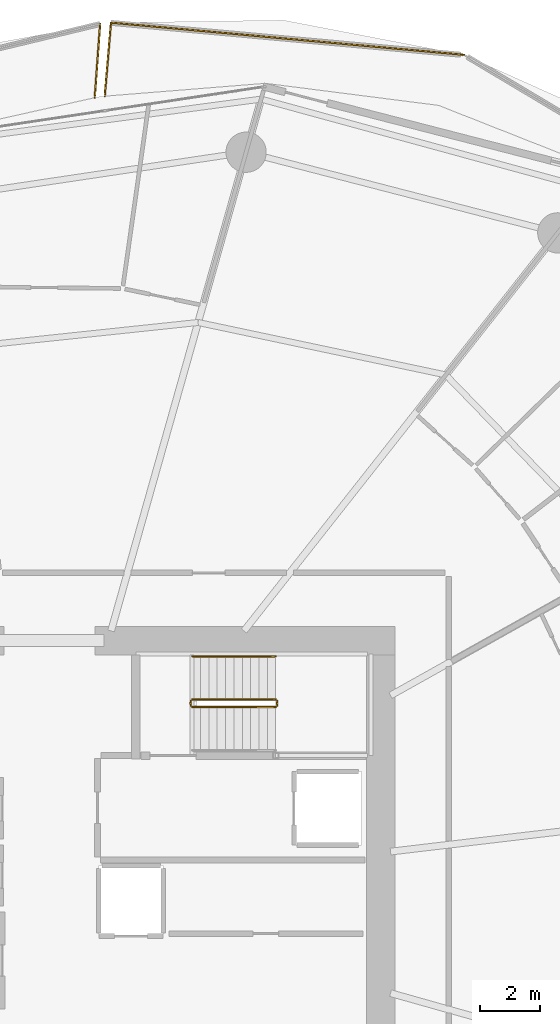
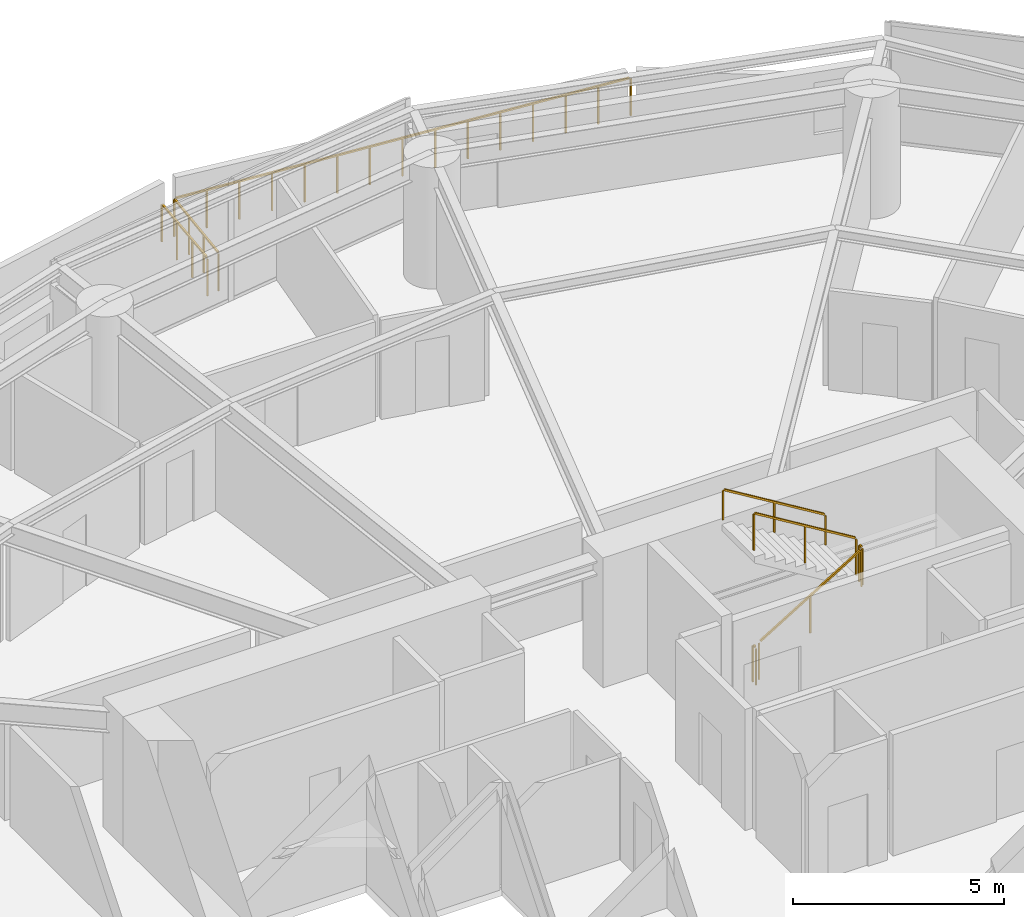
# One storey, part 30 of 31: 8 railings.
"""IFC4 building model written with IfcOpenShell, lengths in metres."""

from ifc_helpers import new_model, si_unit, direction, frame, origin, origin_2d, place, context, subcontext, project, spatial, rectangle, extrude, material, type_object, element, save


model = new_model("IFC4")

# Units and contexts
model_context = context("Model", 3, precision=1e-05, world=origin(), true_north=direction((0.0, 1.0)))
body_context = subcontext(model_context, "Body", "Model", "MODEL_VIEW")
ifc_project = project(units=[si_unit("LENGTHUNIT", "METRE"), si_unit("AREAUNIT", "SQUARE_METRE"), si_unit("VOLUMEUNIT", "CUBIC_METRE"), si_unit("PLANEANGLEUNIT", "RADIAN"), si_unit("MASSUNIT", "GRAM", prefix="KILO")], contexts=[model_context])

# Site, building, storey
site_placement = place(None, origin())
site = spatial("IfcSite", under=ifc_project, at=site_placement, CompositionType="ELEMENT")
building_placement = place(site_placement, origin())
building = spatial("IfcBuilding", under=site, at=building_placement, Name="Kazma Halo Residences", CompositionType="ELEMENT")
storey_placement = place(building_placement, frame((0.0, 0.0, 60.14990234375)))
storey = spatial("IfcBuildingStorey", under=building, at=storey_placement, Name="L14", CompositionType="ELEMENT", Elevation=60.14990234375)

# Railings
ifc_material_1 = material(Name="Aluminium AW-6063 T6 Brushed Cap Rail", Category="aluminium")
railing_type_1 = type_object("IfcRailingType", Name="RLG-BAL-CAP-1120", PredefinedType="BALUSTRADE", material=ifc_material_1)
railing_1_placement = place(storey_placement, frame((62.323974609375, 70.1123046875, 0.0)))
element("IfcRailing", 1, at=railing_1_placement, inside=storey, type_object=railing_type_1, Name="L14 NE wave balcony guard 3", PredefinedType="BALUSTRADE", context=body_context, shape_type="SweptSolid", body=[
    extrude(rectangle(XDim=0.050048828125, YDim=0.050048828125, at=origin_2d()), frame((-0.04248046875, 0.00390625, 1.09521484375), z_axis=(-0.995869790697, 0.09079295114, 0.0), x_axis=(-0.09079295114, -0.995869790697, 0.0)), (0.0, 0.0, 1.0), 11.81103515625),
    extrude(rectangle(XDim=0.0400390625, YDim=0.0400390625, at=origin_2d()), origin(), (0.0, 0.0, 1.0), 1.05810546875),
    extrude(rectangle(XDim=0.0400390625, YDim=0.0400390625, at=origin_2d()), frame((-0.84619140625, 0.0771484375, 0.0)), (0.0, 0.0, 1.0), 1.05810546875),
    extrude(rectangle(XDim=0.0400390625, YDim=0.0400390625, at=origin_2d()), frame((-1.6923828125, 0.154296875, 0.0)), (0.0, 0.0, 1.0), 1.05810546875),
    extrude(rectangle(XDim=0.0400390625, YDim=0.0400390625, at=origin_2d()), frame((-2.53857421875, 0.2314453125, 0.0)), (0.0, 0.0, 1.0), 1.05810546875),
    extrude(rectangle(XDim=0.0400390625, YDim=0.0400390625, at=origin_2d()), frame((-3.384765625, 0.30859375, 0.0)), (0.0, 0.0, 1.0), 1.05810546875),
    extrude(rectangle(XDim=0.0400390625, YDim=0.0400390625, at=origin_2d()), frame((-4.23095703125, 0.3857421875, 0.0)), (0.0, 0.0, 1.0), 1.05810546875),
    extrude(rectangle(XDim=0.0400390625, YDim=0.0400390625, at=origin_2d()), frame((-5.0771484375, 0.462890625, 0.0)), (0.0, 0.0, 1.0), 1.05810546875),
    extrude(rectangle(XDim=0.0400390625, YDim=0.0400390625, at=origin_2d()), frame((-5.92333984375, 0.5400390625, 0.0)), (0.0, 0.0, 1.0), 1.05810546875),
    extrude(rectangle(XDim=0.0400390625, YDim=0.0400390625, at=origin_2d()), frame((-6.769775390625, 0.6171875, 0.0)), (0.0, 0.0, 1.0), 1.05810546875),
    extrude(rectangle(XDim=0.0400390625, YDim=0.0400390625, at=origin_2d()), frame((-7.615966796875, 0.6943359375, 0.0)), (0.0, 0.0, 1.0), 1.05810546875),
    extrude(rectangle(XDim=0.0400390625, YDim=0.0400390625, at=origin_2d()), frame((-8.462158203125, 0.771484375, 0.0)), (0.0, 0.0, 1.0), 1.05810546875),
    extrude(rectangle(XDim=0.0400390625, YDim=0.0400390625, at=origin_2d()), frame((-9.308349609375, 0.8486328125, 0.0)), (0.0, 0.0, 1.0), 1.05810546875),
    extrude(rectangle(XDim=0.0400390625, YDim=0.0400390625, at=origin_2d()), frame((-10.154541015625, 0.92578125, 0.0)), (0.0, 0.0, 1.0), 1.05810546875),
    extrude(rectangle(XDim=0.0400390625, YDim=0.0400390625, at=origin_2d()), frame((-11.000732421875, 1.0029296875, 0.0)), (0.0, 0.0, 1.0), 1.05810546875),
    extrude(rectangle(XDim=0.0400390625, YDim=0.0400390625, at=origin_2d()), frame((-11.846923828125, 1.080078125, 0.0)), (0.0, 0.0, 1.0), 1.05810546875),
])
railing_2_placement = place(storey_placement, frame((50.47705078125, 71.1923828125, 0.0)))
element("IfcRailing", 2, at=railing_2_placement, inside=storey, type_object=railing_type_1, Name="L14 NE wave balcony guard 4", PredefinedType="BALUSTRADE", context=body_context, shape_type="SweptSolid", body=[
    extrude(rectangle(XDim=0.050048828125, YDim=0.050048828125, at=origin_2d()), frame((-0.003662109375, -0.04248046875, 1.09521484375), z_axis=(-0.084557777597, -0.996418577832, 0.0), x_axis=(0.996418577832, -0.084557777597, 0.0)), (0.0, 0.0, 1.0), 2.386474609375),
    extrude(rectangle(XDim=0.0400390625, YDim=0.0400390625, at=origin_2d()), origin(), (0.0, 0.0, 1.0), 1.05810546875),
    extrude(rectangle(XDim=0.0400390625, YDim=0.0400390625, at=origin_2d()), frame((-0.069580078125, -0.82080078125, 0.0)), (0.0, 0.0, 1.0), 1.05810546875),
    extrude(rectangle(XDim=0.0400390625, YDim=0.0400390625, at=origin_2d()), frame((-0.139404296875, -1.641845703125, 0.0)), (0.0, 0.0, 1.0), 1.05810546875),
    extrude(rectangle(XDim=0.0400390625, YDim=0.0400390625, at=origin_2d()), frame((-0.208984375, -2.462646484375, 0.0)), (0.0, 0.0, 1.0), 1.05810546875),
])
railing_3_placement = place(storey_placement, frame((49.935791015625, 68.679931640625, 0.0)))
element("IfcRailing", 3, at=railing_3_placement, inside=storey, type_object=railing_type_1, Name="L14 NNW wave balcony guard 1", PredefinedType="BALUSTRADE", context=body_context, shape_type="SweptSolid", body=[
    extrude(rectangle(XDim=0.050048828125, YDim=0.050048828125, at=origin_2d()), frame((0.003173828125, 0.04248046875, 1.09521484375), z_axis=(0.072359420263, 0.997378621337, 0.0), x_axis=(-0.997378621337, 0.072359420263, 0.0)), (0.0, 0.0, 1.0), 2.394775390625),
    extrude(rectangle(XDim=0.0400390625, YDim=0.0400390625, at=origin_2d()), origin(), (0.0, 0.0, 1.0), 1.05810546875),
    extrude(rectangle(XDim=0.0400390625, YDim=0.0400390625, at=origin_2d()), frame((0.059814453125, 0.824462890625, 0.0)), (0.0, 0.0, 1.0), 1.05810546875),
    extrude(rectangle(XDim=0.0400390625, YDim=0.0400390625, at=origin_2d()), frame((0.11962890625, 1.64892578125, 0.0)), (0.0, 0.0, 1.0), 1.05810546875),
    extrude(rectangle(XDim=0.0400390625, YDim=0.0400390625, at=origin_2d()), frame((0.179443359375, 2.473388671875, 0.0)), (0.0, 0.0, 1.0), 1.05810546875),
])
ifc_material_2 = material(Name="Painted Steel S355", Category="steel")
railing_type_2 = type_object("IfcRailingType", Name="RLG-STAIR-GRD-1100", PredefinedType="GUARDRAIL", material=ifc_material_2)
railing_4_placement = place(storey_placement, frame((53.199951171875, 48.25, 0.170654296875)))
element("IfcRailing", 4, at=railing_4_placement, inside=storey, type_object=railing_type_2, Name="L14 ST-02 stair guard 1", PredefinedType="GUARDRAIL", context=body_context, shape_type="SweptSolid", body=[
    extrude(rectangle(XDim=0.050048828125, YDim=0.050048828125, at=origin_2d()), frame((0.036376953125, 0.0, 1.09716796875), z_axis=(0.854202870247, 0.0, 0.519939858505), x_axis=(0.0, 1.0, 0.0)), (0.0, 0.0, 1.0), 3.19287109375),
    extrude(rectangle(XDim=0.0400390625, YDim=0.0400390625, at=origin_2d()), origin(), (0.0, 0.0, 1.0), 1.0380859375),
    extrude(rectangle(XDim=0.0400390625, YDim=0.0400390625, at=origin_2d()), frame((1.39990234375, 0.0, 0.85205078125)), (0.0, 0.0, 1.0), 1.0380859375),
    extrude(rectangle(XDim=0.0400390625, YDim=0.0400390625, at=origin_2d()), frame((2.800048828125, 0.0, 1.704345703125)), (0.0, 0.0, 1.0), 1.0380859375),
])
railing_5_placement = place(storey_placement, frame((56.050048828125, 48.300048828125, 1.875)))
element("IfcRailing", 5, at=railing_5_placement, inside=storey, type_object=railing_type_2, Name="L14 ST-02 stair guard 2", PredefinedType="GUARDRAIL", context=body_context, shape_type="SweptSolid", body=[
    extrude(rectangle(XDim=0.050048828125, YDim=0.050048828125, at=origin_2d()), frame((0.0, 0.04248046875, 1.0751953125), z_axis=(0.0, 1.0, 0.0), x_axis=(-1.0, 0.0, 0.0)), (0.0, 0.0, 1.0), 0.06494140625),
    extrude(rectangle(XDim=0.0400390625, YDim=0.0400390625, at=origin_2d()), origin(), (0.0, 0.0, 1.0), 1.0380859375),
    extrude(rectangle(XDim=0.0400390625, YDim=0.0400390625, at=origin_2d()), frame((0.0, 0.14990234375, 0.0)), (0.0, 0.0, 1.0), 1.0380859375),
])
railing_6_placement = place(storey_placement, frame((56.0, 48.5, 2.045654296875)))
element("IfcRailing", 6, at=railing_6_placement, inside=storey, type_object=railing_type_2, Name="L14 ST-02 stair guard 3", PredefinedType="GUARDRAIL", context=body_context, shape_type="SweptSolid", body=[
    extrude(rectangle(XDim=0.050048828125, YDim=0.050048828125, at=origin_2d()), frame((-0.036376953125, 0.0, 1.09716796875), z_axis=(-0.854202870247, 0.0, 0.519939858505), x_axis=(0.0, -1.0, 0.0)), (0.0, 0.0, 1.0), 3.19287109375),
    extrude(rectangle(XDim=0.0400390625, YDim=0.0400390625, at=origin_2d()), origin(), (0.0, 0.0, 1.0), 1.0380859375),
    extrude(rectangle(XDim=0.0400390625, YDim=0.0400390625, at=origin_2d()), frame((-1.39990234375, 0.0, 0.85205078125)), (0.0, 0.0, 1.0), 1.0380859375),
    extrude(rectangle(XDim=0.0400390625, YDim=0.0400390625, at=origin_2d()), frame((-2.800048828125, 0.0, 1.704345703125)), (0.0, 0.0, 1.0), 1.0380859375),
])
railing_7_placement = place(storey_placement, frame((53.14990234375, 48.300048828125, 0.0)))
element("IfcRailing", 7, at=railing_7_placement, inside=storey, type_object=railing_type_2, Name="L14 ST-02 stair guard 4", PredefinedType="GUARDRAIL", context=body_context, shape_type="SweptSolid", body=[
    extrude(rectangle(XDim=0.050048828125, YDim=0.050048828125, at=origin_2d()), frame((0.0, 0.04248046875, 1.0751953125), z_axis=(0.0, 1.0, 0.0), x_axis=(-1.0, 0.0, 0.0)), (0.0, 0.0, 1.0), 0.06494140625),
    extrude(rectangle(XDim=0.0400390625, YDim=0.0400390625, at=origin_2d()), origin(), (0.0, 0.0, 1.0), 1.0380859375),
    extrude(rectangle(XDim=0.0400390625, YDim=0.0400390625, at=origin_2d()), frame((0.0, 0.14990234375, 0.0)), (0.0, 0.0, 1.0), 1.0380859375),
])
ifc_material_3 = material(Name="Brushed Stainless Steel", Category="steel")
railing_type_3 = type_object("IfcRailingType", Name="RLG-STAIR-HND-900", PredefinedType="HANDRAIL", material=ifc_material_3)
railing_8_placement = place(storey_placement, frame((56.0, 49.949951171875, 2.045654296875)))
element("IfcRailing", 8, at=railing_8_placement, inside=storey, type_object=railing_type_3, Name="L14 ST-02 stair handrail 2", PredefinedType="HANDRAIL", context=body_context, shape_type="SweptSolid", body=[
    extrude(rectangle(XDim=0.050048828125, YDim=0.050048828125, at=origin_2d()), frame((-0.036376953125, 0.0, 0.89697265625), z_axis=(-0.854202870247, 0.0, 0.519939858505), x_axis=(0.0, -1.0, 0.0)), (0.0, 0.0, 1.0), 3.19287109375),
    extrude(rectangle(XDim=0.0400390625, YDim=0.0400390625, at=origin_2d()), origin(), (0.0, 0.0, 1.0), 0.837890625),
    extrude(rectangle(XDim=0.0400390625, YDim=0.0400390625, at=origin_2d()), frame((-1.39990234375, 0.0, 0.85205078125)), (0.0, 0.0, 1.0), 0.837890625),
    extrude(rectangle(XDim=0.0400390625, YDim=0.0400390625, at=origin_2d()), frame((-2.800048828125, 0.0, 1.704345703125)), (0.0, 0.0, 1.0), 0.837890625),
])

save(model, "model.ifc")
